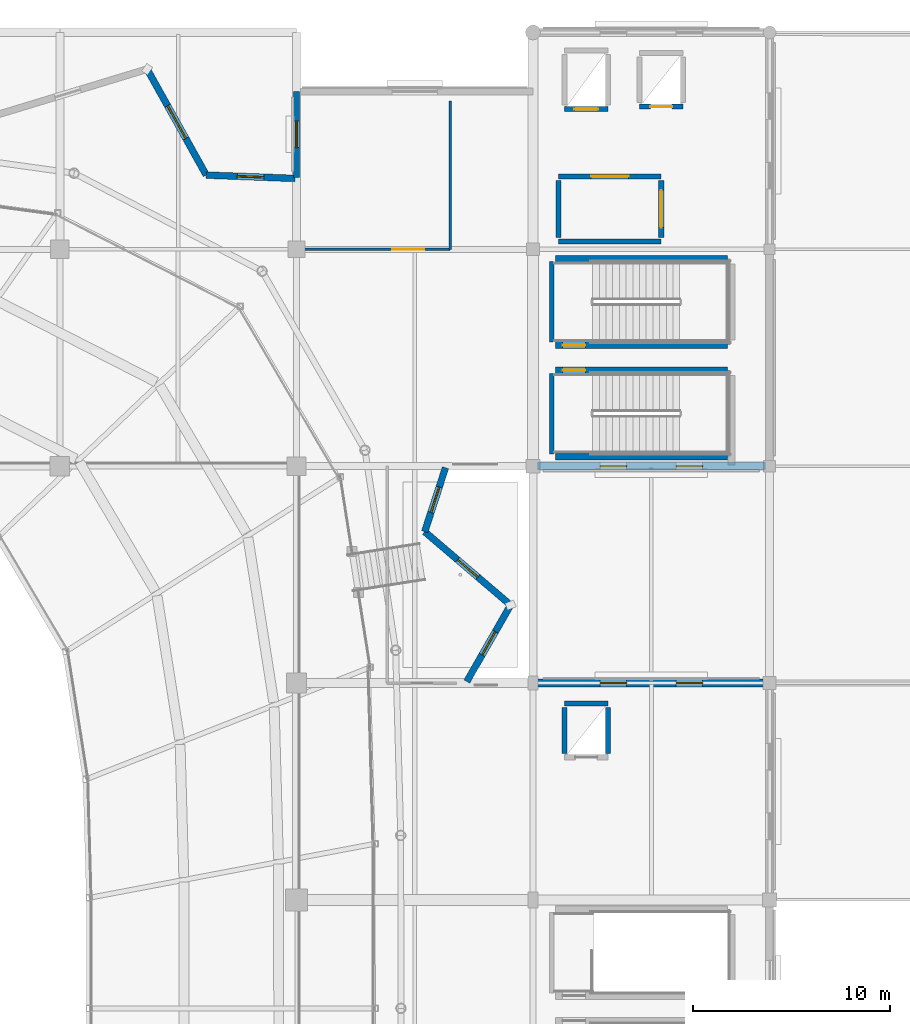
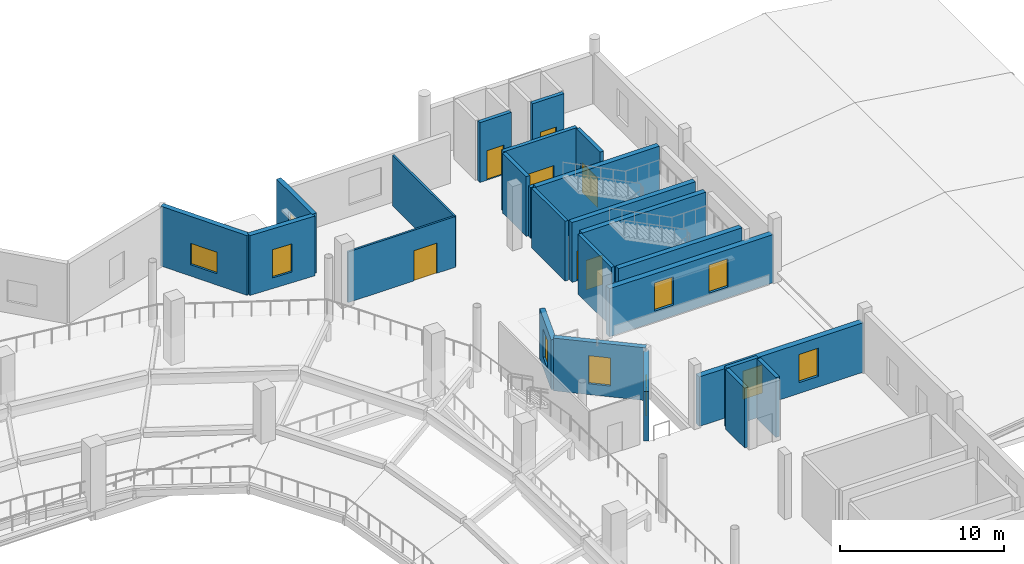
# One storey, part 58 of 77: 25 walls, 10 windows, 7 doors, 17 openings.
"""IFC4 building model written with IfcOpenShell, lengths in metres."""

import ifcopenshell
import ifcopenshell.guid

model = None  # the IFC model being written
_history = None  # IfcOwnerHistory: only IFC2X3 demands one
_inside = {}  # id of a spatial element -> (the spatial element, [elements in it])
_under = {}  # id of a project, library or spatial element -> (it, [spatial elements below it])
_declared = {}  # id of a project -> (the project, [libraries it declares])
_typed = {}  # id of a type object -> (the type object, [elements of that type])
_made_of = {}  # id of a material, layer set ... -> (it, [elements and type objects made of it])


def new_model(schema):
    """Start an empty IFC model of exactly this schema.

    Asked for "IFC4X3", IfcOpenShell would pick the latest addendum, in which some entities
    have other attributes; the version numbers below select the first issue.
    IFC2X3 requires an IfcOwnerHistory on every rooted entity: one is made here for all.
    """
    global model, _history
    if schema == "IFC4X3":
        model = ifcopenshell.file(schema_version=(4, 3, 0, 0))
    else:
        model = ifcopenshell.file(schema=schema)
    _inside.clear()
    _under.clear()
    _declared.clear()
    _typed.clear()
    _made_of.clear()
    _history = None
    if model.schema == "IFC2X3":
        org = make("IfcOrganization", Name="unknown")
        user = make(
            "IfcPersonAndOrganization",
            ThePerson=make("IfcPerson", FamilyName="unknown"),
            TheOrganization=org,
        )
        app = make(
            "IfcApplication",
            ApplicationDeveloper=org,
            Version="unknown",
            ApplicationFullName="unknown",
            ApplicationIdentifier="unknown",
        )
        _history = make(
            "IfcOwnerHistory",
            OwningUser=user,
            OwningApplication=app,
            ChangeAction="ADDED",
            CreationDate=0,
        )
    return model


def make(cls, **values):
    """One entity of the class cls with the attributes given. An attribute that is None is left unset."""
    return model.create_entity(
        cls, **{name: value for name, value in values.items() if value is not None}
    )


def rooted(cls, **values):
    """An entity with a GlobalId (a new one), such as an element, a storey or a relation."""
    return make(cls, GlobalId=ifcopenshell.guid.new(), OwnerHistory=_history, **values)


def si_unit(unit_type, name, prefix=None):
    """IfcSIUnit, for example si_unit("LENGTHUNIT", "METRE", prefix="MILLI")."""
    return make("IfcSIUnit", UnitType=unit_type, Prefix=prefix, Name=name)


def assignment(units):
    """IfcUnitAssignment: the units of a project."""
    return None if units is None else make("IfcUnitAssignment", Units=units)


def point(xyz):
    """IfcCartesianPoint."""
    return None if xyz is None else make("IfcCartesianPoint", Coordinates=xyz)


def direction(xyz):
    """IfcDirection."""
    return None if xyz is None else make("IfcDirection", DirectionRatios=xyz)


def frame(location, z_axis=None, x_axis=None):
    """IfcAxis2Placement3D, a coordinate frame: its origin and axes. An axis left out is left unset."""
    return make(
        "IfcAxis2Placement3D",
        Location=point(location),
        Axis=direction(z_axis),
        RefDirection=direction(x_axis),
    )


def frame_2d(location, x_axis=None):
    """IfcAxis2Placement2D, a coordinate frame in the plane: its origin and x axis."""
    return make(
        "IfcAxis2Placement2D", Location=point(location), RefDirection=direction(x_axis)
    )


def origin():
    """The frame at (0, 0, 0) with its axes left unset."""
    return frame((0.0, 0.0, 0.0))


def place(relative_to, where):
    """IfcLocalPlacement: puts the frame where relative to a parent placement (None: the world)."""
    return make(
        "IfcLocalPlacement", PlacementRelTo=relative_to, RelativePlacement=where
    )


def context(
    kind, dimensions, precision=None, world=None, true_north=None, identifier=None
):
    """IfcGeometricRepresentationContext, for example the 3D "Model" context."""
    return make(
        "IfcGeometricRepresentationContext",
        ContextIdentifier=identifier,
        ContextType=kind,
        CoordinateSpaceDimension=dimensions,
        Precision=precision,
        WorldCoordinateSystem=world,
        TrueNorth=true_north,
    )


def subcontext(parent, identifier, kind, view, scale=None):
    """IfcGeometricRepresentationSubContext, for example "Body" below "Model"."""
    return make(
        "IfcGeometricRepresentationSubContext",
        ContextIdentifier=identifier,
        ContextType=kind,
        ParentContext=parent,
        TargetScale=scale,
        TargetView=view,
    )


def project(units=None, contexts=None):
    """IfcProject with its units and contexts."""
    return rooted(
        "IfcProject",
        Name="project",
        RepresentationContexts=contexts,
        UnitsInContext=assignment(units),
    )


def spatial(cls, under=None, at=None, **own):
    """A site, building, storey or space (cls), placed at a placement, below another one or the project."""
    s = rooted(cls, ObjectPlacement=at, **own)
    if under is not None:
        _under.setdefault(under.id(), (under, []))[1].append(s)
    return s


def profile(cls, at=None, kind="AREA", **sizes):
    """A parametric profile (cls). Its sizes go by their IFC names, for example OverallWidth=200.0."""
    return make(cls, ProfileType=kind, Position=at, **sizes)


def rectangle(**sizes):
    """IfcRectangleProfileDef."""
    return profile("IfcRectangleProfileDef", **sizes)


def extrude(swept, where, along, depth):
    """IfcExtrudedAreaSolid: the profile swept, set in the frame where, extruded along a direction by depth."""
    return make(
        "IfcExtrudedAreaSolid",
        SweptArea=swept,
        Position=where,
        ExtrudedDirection=direction(along),
        Depth=depth,
    )


def shape(context_of_items, identifier, shape_type, items):
    """IfcShapeRepresentation: the items that make up one representation, for example the "Body"."""
    return make(
        "IfcShapeRepresentation",
        ContextOfItems=context_of_items,
        RepresentationIdentifier=identifier,
        RepresentationType=shape_type,
        Items=items,
    )


def material(Name=None, Category=None):
    """IfcMaterial."""
    return make("IfcMaterial", Name=Name, Category=Category)


def layer(
    of_material, thickness, ventilated=None, Name=None, Category=None, Priority=None
):
    """IfcMaterialLayer: one layer of a wall or slab, of a material (None: an air gap)."""
    return make(
        "IfcMaterialLayer",
        Material=of_material,
        LayerThickness=thickness,
        IsVentilated=ventilated,
        Name=Name,
        Category=Category,
        Priority=Priority,
    )


def layer_set(layers, Name=None):
    """IfcMaterialLayerSet."""
    return make("IfcMaterialLayerSet", MaterialLayers=layers, LayerSetName=Name)


def made_of(thing, what):
    """Note that an element or type object is made of a material, layer set ...; save() writes the relation."""
    if what is not None:
        _made_of.setdefault(what.id(), (what, []))[1].append(thing)
    return thing


def type_object(cls, material=None, **own):
    """A type object (cls), such as IfcWallType, which elements share."""
    return made_of(rooted(cls, **own), material)


def element(
    cls,
    number,
    at=None,
    inside=None,
    cuts=None,
    type_object=None,
    material=None,
    context=None,
    identifier="Body",
    shape_type=None,
    held_by="IfcProductDefinitionShape",
    body=None,
    shapes=None,
    **own,
):
    """One element of the class cls, such as IfcWall. Its Tag is "e" and its number.

    at: its placement. inside: the storey or other place that contains it. cuts: it is an
    opening in that element (IfcRelVoidsElement). A single representation is given by context,
    identifier, shape_type and body (its items); several are given by shapes. held_by: the class
    of the entity that holds the representations. save() writes the other relations.
    """
    e = rooted(cls, Tag="e%d" % number, ObjectPlacement=at, **own)
    if body is not None:
        shapes = [shape(context, identifier, shape_type, body)]
    if shapes is not None:
        e.Representation = make(held_by, Representations=shapes)
    if inside is not None:
        _inside.setdefault(inside.id(), (inside, []))[1].append(e)
    if cuts is not None:
        rooted(
            "IfcRelVoidsElement", RelatingBuildingElement=cuts, RelatedOpeningElement=e
        )
    if type_object is not None:
        _typed.setdefault(type_object.id(), (type_object, []))[1].append(e)
    return made_of(e, material)


def fill(opening, filler):
    """IfcRelFillsElement: the door or window that sits in an opening."""
    return rooted(
        "IfcRelFillsElement",
        RelatingOpeningElement=opening,
        RelatedBuildingElement=filler,
    )


def aggregate(whole, parts):
    """IfcRelAggregates: a whole, such as a stair, and the parts it consists of."""
    return rooted("IfcRelAggregates", RelatingObject=whole, RelatedObjects=parts)


def save(model, path):
    """Write the relations noted so far, then the file.

    IfcRelAggregates (storeys below a building ...), IfcRelContainedInSpatialStructure (elements
    in a storey), IfcRelDefinesByType, IfcRelAssociatesMaterial and IfcRelDeclares: one each for
    every whole, place, type object, material and project.
    """
    for whole, parts in _under.values():
        aggregate(whole, parts)
    for where, things in _inside.values():
        rooted(
            "IfcRelContainedInSpatialStructure",
            RelatedElements=things,
            RelatingStructure=where,
        )
    for kind, things in _typed.values():
        rooted("IfcRelDefinesByType", RelatedObjects=things, RelatingType=kind)
    for what, things in _made_of.values():
        rooted("IfcRelAssociatesMaterial", RelatedObjects=things, RelatingMaterial=what)
    for by, libraries in _declared.values():
        rooted("IfcRelDeclares", RelatingContext=by, RelatedDefinitions=libraries)
    model.write(path)


model = new_model("IFC4")

# Units and contexts
model_context = context("Model", 3, precision=1e-05, world=origin(), true_north=direction((0.0, 1.0)))
body_context = subcontext(model_context, "Body", "Model", "MODEL_VIEW")
ifc_project = project(units=[si_unit("LENGTHUNIT", "METRE"), si_unit("AREAUNIT", "SQUARE_METRE"), si_unit("VOLUMEUNIT", "CUBIC_METRE"), si_unit("PLANEANGLEUNIT", "RADIAN"), si_unit("MASSUNIT", "GRAM", prefix="KILO")], contexts=[model_context])

# Site, building, storey
site_placement = place(None, origin())
site = spatial("IfcSite", under=ifc_project, at=site_placement, CompositionType="ELEMENT")
building_placement = place(site_placement, origin())
building = spatial("IfcBuilding", under=site, at=building_placement, Name="Luwafu Chhajja Arena", CompositionType="ELEMENT")
storey_placement = place(building_placement, frame((0.0, 0.0, 14.699951171875)))
storey = spatial("IfcBuildingStorey", under=building, at=storey_placement, Name="L03", CompositionType="ELEMENT", Elevation=14.699951171875)

# Wall, opening, door
ifc_material_1 = material(Name="Lightweight blockwork partition", Category="masonry")
ifc_layer_1 = layer(ifc_material_1, 0.139892578125, Name="Lightweight blockwork partition")
ifc_layer_set_1 = layer_set([ifc_layer_1], Name="Lightweight blockwork partition")
wall_type_1 = type_object("IfcWallType", Name="Concourse Kiosk Partition 140", PredefinedType="PARTITIONING", material=ifc_layer_set_1)
wall_1_placement = place(storey_placement, frame((140.219970703125, 88.0, 0.0), z_axis=(0.0, 0.0, 1.0), x_axis=(1.0, 0.0, 0.0)))
wall_1 = element("IfcWall", 1, at=wall_1_placement, inside=storey, type_object=wall_type_1, Name="L03 Internal Partition 0299", PredefinedType="PARTITIONING", context=body_context, shape_type="SweptSolid", body=[
    extrude(rectangle(XDim=7.580078125, YDim=0.139892578125, at=frame_2d((3.7900390625, 0.0))), origin(), (0.0, 0.0, 1.0), 3.77783203125),
])
opening_1_placement = place(wall_1_placement, frame((4.647705078125, 0.0, 0.0)))
opening_1 = element("IfcOpeningElement", 2, at=opening_1_placement, cuts=wall_1, Name="Opening DR-23", PredefinedType="OPENING", context=body_context, shape_type="SweptSolid", body=[
    extrude(rectangle(XDim=1.6201171875, YDim=2.25, at=frame_2d((0.81005859375, 1.125))), frame((0.0, 0.079833984375, 0.0), z_axis=(0.0, -1.0, 0.0), x_axis=(1.0, 0.0, 0.0)), (0.0, 0.0, 1.0), 0.159912109375),
])
ifc_material_2 = material(Name="Hardwood flush glazed double door", Category="wood")
door_type_1 = type_object("IfcDoorType", Name="DR-23", OperationType="DOUBLE_DOOR_SINGLE_SWING", PredefinedType="DOOR", material=ifc_material_2)
door_1_placement = place(opening_1_placement, origin())
door_1 = element("IfcDoor", 3, at=door_1_placement, inside=storey, type_object=door_type_1, Name="L03 Interior Door L03-D025", OperationType="DOUBLE_DOOR_SINGLE_SWING", OverallHeight=2.25, OverallWidth=1.6201171875, PredefinedType="DOOR", context=body_context, shape_type="SweptSolid", body=[
    extrude(rectangle(XDim=1.6201171875, YDim=2.25, at=frame_2d((0.81005859375, 1.125))), frame((0.0, 0.02490234375, 0.0), z_axis=(0.0, -1.0, 0.0), x_axis=(1.0, 0.0, 0.0)), (0.0, 0.0, 1.0), 0.050048828125),
])
fill(opening_1, door_1)

# Wall
wall_2_placement = place(storey_placement, frame((147.800048828125, 88.0, 0.0), z_axis=(0.0, 0.0, 1.0), x_axis=(0.0, 1.0, 0.0)))
element("IfcWall", 4, at=wall_2_placement, inside=storey, type_object=wall_type_1, Name="L03 Internal Partition 0300", PredefinedType="PARTITIONING", context=body_context, shape_type="SweptSolid", body=[
    extrude(rectangle(XDim=7.52001953125, YDim=0.139892578125, at=frame_2d((3.760009765625, 0.0))), origin(), (0.0, 0.0, 1.0), 3.77783203125),
])

# Wall, opening, door
ifc_material_3 = material(Name="Concrete C40/50", Category="concrete")
ifc_layer_2 = layer(ifc_material_3, 0.260009765625, Name="Concrete C40/50")
ifc_layer_set_2 = layer_set([ifc_layer_2], Name="Concrete C40/50")
wall_type_2 = type_object("IfcWallType", Name="Firefighting Lobby Wall 260", PredefinedType="SOLIDWALL", material=ifc_layer_set_2)
wall_3_placement = place(storey_placement, frame((153.300048828125, 91.699951171875, 0.0), z_axis=(0.0, 0.0, 1.0), x_axis=(1.0, 0.0, 0.0)))
wall_3 = element("IfcWall", 5, at=wall_3_placement, inside=storey, type_object=wall_type_2, Name="L03 Core C4 Firefighting Lobby Wall N", PredefinedType="SOLIDWALL", context=body_context, shape_type="SweptSolid", body=[
    extrude(rectangle(XDim=5.199951171875, YDim=0.260009765625, at=frame_2d((2.60009765625, 0.0))), origin(), (0.0, 0.0, 1.0), 4.4599609375),
])
opening_2_placement = place(wall_3_placement, frame((1.64990234375, 0.0, 0.0)))
opening_2 = element("IfcOpeningElement", 6, at=opening_2_placement, cuts=wall_3, Name="Opening DR-07", PredefinedType="OPENING", context=body_context, shape_type="SweptSolid", body=[
    extrude(rectangle(XDim=1.89990234375, YDim=2.199951171875, at=frame_2d((0.949951171875, 1.10009765625))), frame((0.0, 0.139892578125, 0.0), z_axis=(0.0, -1.0, 0.0), x_axis=(1.0, 0.0, 0.0)), (0.0, 0.0, 1.0), 0.280029296875),
])
ifc_material_4 = material(Name="Fire-rated hardwood and vision panel", Category="wood")
door_type_2 = type_object("IfcDoorType", Name="DR-07", OperationType="DOUBLE_DOOR_SINGLE_SWING", PredefinedType="DOOR", material=ifc_material_4)
door_2_placement = place(opening_2_placement, origin())
door_2 = element("IfcDoor", 7, at=door_2_placement, inside=storey, type_object=door_type_2, Name="L03 Firefighting Lobby C4 Door L03-D015", OperationType="DOUBLE_DOOR_SINGLE_SWING", OverallHeight=2.199951171875, OverallWidth=1.89990234375, PredefinedType="DOOR", context=body_context, shape_type="SweptSolid", body=[
    extrude(rectangle(XDim=1.89990234375, YDim=2.199951171875, at=frame_2d((0.949951171875, 1.10009765625))), frame((0.0, 0.02490234375, 0.0), z_axis=(0.0, -1.0, 0.0), x_axis=(1.0, 0.0, 0.0)), (0.0, 0.0, 1.0), 0.050048828125),
])
fill(opening_2, door_2)

# Walls
wall_4_placement = place(storey_placement, frame((153.300048828125, 88.39990234375, 0.0), z_axis=(0.0, 0.0, 1.0), x_axis=(1.0, 0.0, 0.0)))
element("IfcWall", 8, at=wall_4_placement, inside=storey, type_object=wall_type_2, Name="L03 Core C4 Firefighting Lobby Wall S", PredefinedType="SOLIDWALL", context=body_context, shape_type="SweptSolid", body=[
    extrude(rectangle(XDim=5.199951171875, YDim=0.260009765625, at=frame_2d((2.60009765625, 0.0))), origin(), (0.0, 0.0, 1.0), 3.7900390625),
])
wall_5_placement = place(storey_placement, frame((153.300048828125, 88.60009765625, 0.0), z_axis=(0.0, 0.0, 1.0), x_axis=(0.0, 1.0, 0.0)))
element("IfcWall", 9, at=wall_5_placement, inside=storey, type_object=wall_type_2, Name="L03 Core C4 Firefighting Lobby Wall W", PredefinedType="SOLIDWALL", context=body_context, shape_type="SweptSolid", body=[
    extrude(rectangle(XDim=2.89990234375, YDim=0.260009765625, at=frame_2d((1.449951171875, 0.0))), origin(), (0.0, 0.0, 1.0), 4.4599609375),
])

# Wall, opening, door
wall_6_placement = place(storey_placement, frame((158.5, 88.60009765625, 0.0), z_axis=(0.0, 0.0, 1.0), x_axis=(0.0, 1.0, 0.0)))
wall_6 = element("IfcWall", 10, at=wall_6_placement, inside=storey, type_object=wall_type_2, Name="L03 Core C4 Firefighting Lobby Wall E", PredefinedType="SOLIDWALL", context=body_context, shape_type="SweptSolid", body=[
    extrude(rectangle(XDim=2.89990234375, YDim=0.260009765625, at=frame_2d((1.449951171875, 0.0))), origin(), (0.0, 0.0, 1.0), 4.4599609375),
])
opening_3_placement = place(wall_6_placement, frame((0.5, 0.0, 0.0)))
opening_3 = element("IfcOpeningElement", 11, at=opening_3_placement, cuts=wall_6, Name="Opening DR-07", PredefinedType="OPENING", context=body_context, shape_type="SweptSolid", body=[
    extrude(rectangle(XDim=1.89990234375, YDim=2.199951171875, at=frame_2d((0.949951171875, 1.10009765625))), frame((0.0, 0.139892578125, 0.0), z_axis=(0.0, -1.0, 0.0), x_axis=(1.0, 0.0, 0.0)), (0.0, 0.0, 1.0), 0.280029296875),
])
door_3_placement = place(opening_3_placement, origin())
door_3 = element("IfcDoor", 12, at=door_3_placement, inside=storey, type_object=door_type_2, Name="L03 Firefighting Lobby C4 Door L03-D016", OperationType="DOUBLE_DOOR_SINGLE_SWING", OverallHeight=2.199951171875, OverallWidth=1.89990234375, PredefinedType="DOOR", context=body_context, shape_type="SweptSolid", body=[
    extrude(rectangle(XDim=1.89990234375, YDim=2.199951171875, at=frame_2d((0.949951171875, 1.10009765625))), frame((0.0, 0.02490234375, 0.0), z_axis=(0.0, -1.0, 0.0), x_axis=(1.0, 0.0, 0.0)), (0.0, 0.0, 1.0), 0.050048828125),
])
fill(opening_3, door_3)

ifc_material_5 = material(Name="Concrete C35/45", Category="concrete")
ifc_layer_3 = layer(ifc_material_5, 0.260009765625, Name="Concrete C35/45")
ifc_layer_set_3 = layer_set([ifc_layer_3], Name="Concrete C35/45")
wall_type_3 = type_object("IfcWallType", Name="Lift and Riser Shaft Wall 260", PredefinedType="SOLIDWALL", material=ifc_layer_set_3)
wall_7_placement = place(storey_placement, frame((153.590087890625, 95.114990234375, 0.0), z_axis=(0.0, 0.0, 1.0), x_axis=(1.0, 0.0, 0.0)))
wall_7 = element("IfcWall", 13, at=wall_7_placement, inside=storey, type_object=wall_type_3, Name="L03 Lift LF-04 Shaft Wall S", PredefinedType="SOLIDWALL", context=body_context, shape_type="SweptSolid", body=[
    extrude(rectangle(XDim=2.219970703125, YDim=0.260009765625, at=frame_2d((1.10986328125, 0.0))), origin(), (0.0, 0.0, 1.0), 4.4599609375),
])
opening_4_placement = place(wall_7_placement, frame((0.510009765625, 0.0, 0.0)))
opening_4 = element("IfcOpeningElement", 14, at=opening_4_placement, cuts=wall_7, Name="Opening LD-02", PredefinedType="OPENING", context=body_context, shape_type="SweptSolid", body=[
    extrude(rectangle(XDim=1.199951171875, YDim=2.199951171875, at=frame_2d((0.60009765625, 1.10009765625))), frame((0.0, 0.139892578125, 0.0), z_axis=(0.0, -1.0, 0.0), x_axis=(1.0, 0.0, 0.0)), (0.0, 0.0, 1.0), 0.280029296875),
])
ifc_material_6 = material(Name="Brushed stainless steel sliding leaves", Category="steel")
door_type_3 = type_object("IfcDoorType", Name="LD-02", OperationType="SLIDING_TO_LEFT", PredefinedType="DOOR", material=ifc_material_6)
door_4_placement = place(opening_4_placement, origin())
door_4 = element("IfcDoor", 15, at=door_4_placement, inside=storey, type_object=door_type_3, Name="L03 Lift LF-04 Landing Door L03-LD07", OperationType="SLIDING_TO_LEFT", OverallHeight=2.199951171875, OverallWidth=1.199951171875, PredefinedType="DOOR", context=body_context, shape_type="SweptSolid", body=[
    extrude(rectangle(XDim=1.199951171875, YDim=2.199951171875, at=frame_2d((0.60009765625, 1.10009765625))), frame((0.0, 0.02490234375, 0.0), z_axis=(0.0, -1.0, 0.0), x_axis=(1.0, 0.0, 0.0)), (0.0, 0.0, 1.0), 0.050048828125),
])
fill(opening_4, door_4)

wall_8_placement = place(storey_placement, frame((157.389892578125, 95.239990234375, 0.0), z_axis=(0.0, 0.0, 1.0), x_axis=(1.0, 0.0, 0.0)))
wall_8 = element("IfcWall", 16, at=wall_8_placement, inside=storey, type_object=wall_type_3, Name="L03 Lift LF-08 Shaft Wall S", PredefinedType="SOLIDWALL", context=body_context, shape_type="SweptSolid", body=[
    extrude(rectangle(XDim=2.22021484375, YDim=0.260009765625, at=frame_2d((1.110107421875, 0.0))), origin(), (0.0, 0.0, 1.0), 4.4599609375),
])
opening_5_placement = place(wall_8_placement, frame((0.56005859375, 0.0, 0.0)))
opening_5 = element("IfcOpeningElement", 17, at=opening_5_placement, cuts=wall_8, Name="Opening LD-01", PredefinedType="OPENING", context=body_context, shape_type="SweptSolid", body=[
    extrude(rectangle(XDim=1.10009765625, YDim=2.14990234375, at=frame_2d((0.550048828125, 1.074951171875))), frame((0.0, 0.139892578125, 0.0), z_axis=(0.0, -1.0, 0.0), x_axis=(1.0, 0.0, 0.0)), (0.0, 0.0, 1.0), 0.280029296875),
])
door_type_4 = type_object("IfcDoorType", Name="LD-01", OperationType="SLIDING_TO_LEFT", PredefinedType="DOOR", material=ifc_material_6)
door_5_placement = place(opening_5_placement, origin())
door_5 = element("IfcDoor", 18, at=door_5_placement, inside=storey, type_object=door_type_4, Name="L03 Lift LF-08 Landing Door L03-LD08", OperationType="SLIDING_TO_LEFT", OverallHeight=2.14990234375, OverallWidth=1.10009765625, PredefinedType="DOOR", context=body_context, shape_type="SweptSolid", body=[
    extrude(rectangle(XDim=1.10009765625, YDim=2.14990234375, at=frame_2d((0.550048828125, 1.074951171875))), frame((0.0, 0.02490234375, 0.0), z_axis=(0.0, -1.0, 0.0), x_axis=(1.0, 0.0, 0.0)), (0.0, 0.0, 1.0), 0.050048828125),
])
fill(opening_5, door_5)

# Walls
wall_9_placement = place(storey_placement, frame((153.590087890625, 64.9599609375, 0.0), z_axis=(0.0, 0.0, 1.0), x_axis=(1.0, 0.0, 0.0)))
element("IfcWall", 19, at=wall_9_placement, inside=storey, type_object=wall_type_3, Name="L03 Lift LF-10 Shaft Wall N", PredefinedType="SOLIDWALL", context=body_context, shape_type="SweptSolid", body=[
    extrude(rectangle(XDim=2.219970703125, YDim=0.260009765625, at=frame_2d((1.10986328125, 0.0))), origin(), (0.0, 0.0, 1.0), 4.4599609375),
])
for number, where, z_axis, x_axis, name in (
    (20, (153.590087890625, 62.43994140625, 0.0), (0.0, 0.0, 1.0), (0.0, 1.0, 0.0), "L03 Lift LF-10 Shaft Wall W"),
    (21, (155.81005859375, 62.43994140625, 0.0), (0.0, 0.0, 1.0), (0.0, 1.0, 0.0), "L03 Lift LF-10 Shaft Wall E"),
):
    element("IfcWall", number, at=place(storey_placement, frame(where, z_axis=z_axis, x_axis=x_axis)), inside=storey, type_object=wall_type_3, Name=name, PredefinedType="SOLIDWALL", context=body_context, shape_type="SweptSolid", body=[
        extrude(rectangle(XDim=2.320068359375, YDim=0.260009765625, at=frame_2d((1.16015625, 0.0))), origin(), (0.0, 0.0, 1.0), 4.4599609375),
    ])

# Wall, opening, window
ifc_material_7 = material(Name="Precast concrete C40/50", Category="concrete")
ifc_layer_4 = layer(ifc_material_7, 0.340087890625, Name="Precast concrete C40/50")
ifc_layer_set_4 = layer_set([ifc_layer_4], Name="Precast concrete C40/50")
wall_type_4 = type_object("IfcWallType", Name="Pleated Bowl V-Fold Wall 340", PredefinedType="USERDEFINED", material=ifc_layer_set_4)
wall_10_placement = place(storey_placement, frame((148.64208984375, 66.080078125, 0.0), z_axis=(0.0, 0.0, 1.0), x_axis=(0.497198154983, 0.867637017814, 0.0)))
wall_10 = element("IfcWall", 22, at=wall_10_placement, inside=storey, type_object=wall_type_4, Name="L03 Pleated Bowl V-Fold Wall 04", ObjectType="PLEATED FACADE WALL", PredefinedType="USERDEFINED", context=body_context, shape_type="SweptSolid", body=[
    extrude(rectangle(XDim=4.466552734375, YDim=0.340087890625, at=frame_2d((2.2333984375, 0.0))), origin(), (0.0, 0.0, 1.0), 3.68994140625),
])
opening_6_placement = place(wall_10_placement, frame((1.558349609375, 0.0, 0.800048828125)))
opening_6 = element("IfcOpeningElement", 23, at=opening_6_placement, cuts=wall_10, Name="Opening WN-17", PredefinedType="OPENING", context=body_context, shape_type="SweptSolid", body=[
    extrude(rectangle(XDim=1.35009765625, YDim=2.10009765625, at=frame_2d((0.675048828125, 1.050048828125))), frame((0.0, 0.179931640625, 0.0), z_axis=(0.0, -1.0, 0.0), x_axis=(1.0, 0.0, 0.0)), (0.0, 0.0, 1.0), 0.360107421875),
])
ifc_material_8 = material(Name="Solar-control laminated glass", Category="glass")
window_type_1 = type_object("IfcWindowType", Name="Exhibition Mezzanine Lancet Window 1350x2100", PartitioningType="SINGLE_PANEL", PredefinedType="WINDOW", material=ifc_material_8)
window_1_placement = place(opening_6_placement, origin())
window_1 = element("IfcWindow", 24, at=window_1_placement, inside=storey, type_object=window_type_1, Name="L03 Pleated Bowl Lancet Window 035", OverallHeight=2.10009765625, OverallWidth=1.35009765625, PartitioningType="SINGLE_PANEL", PredefinedType="WINDOW", context=body_context, shape_type="SweptSolid", body=[
    extrude(rectangle(XDim=1.35009765625, YDim=2.10009765625, at=frame_2d((0.675048828125, 1.050048828125))), frame((0.0, 0.030029296875, 0.0), z_axis=(0.0, -1.0, 0.0), x_axis=(1.0, 0.0, 0.0)), (0.0, 0.0, 1.0), 0.06005859375),
])
fill(opening_6, window_1)

wall_11_placement = place(storey_placement, frame((150.86279296875, 69.955322265625, 0.0), z_axis=(0.0, 0.0, 1.0), x_axis=(-0.760445983194, 0.649401190824, 0.0)))
wall_11 = element("IfcWall", 25, at=wall_11_placement, inside=storey, type_object=wall_type_4, Name="L03 Pleated Bowl V-Fold Wall 05", ObjectType="PLEATED FACADE WALL", PredefinedType="USERDEFINED", context=body_context, shape_type="SweptSolid", body=[
    extrude(rectangle(XDim=5.731689453125, YDim=0.340087890625, at=frame_2d((2.86572265625, 0.0))), origin(), (0.0, 0.0, 1.0), 3.929931640625),
])
opening_7_placement = place(wall_11_placement, frame((2.19091796875, 0.0, 0.800048828125)))
opening_7 = element("IfcOpeningElement", 26, at=opening_7_placement, cuts=wall_11, Name="Opening WN-17", PredefinedType="OPENING", context=body_context, shape_type="SweptSolid", body=[
    extrude(rectangle(XDim=1.35009765625, YDim=2.10009765625, at=frame_2d((0.675048828125, 1.050048828125))), frame((0.0, 0.179931640625, 0.0), z_axis=(0.0, -1.0, 0.0), x_axis=(1.0, 0.0, 0.0)), (0.0, 0.0, 1.0), 0.360107421875),
])
window_2_placement = place(opening_7_placement, origin())
window_2 = element("IfcWindow", 27, at=window_2_placement, inside=storey, type_object=window_type_1, Name="L03 Pleated Bowl Lancet Window 036", OverallHeight=2.10009765625, OverallWidth=1.35009765625, PartitioningType="SINGLE_PANEL", PredefinedType="WINDOW", context=body_context, shape_type="SweptSolid", body=[
    extrude(rectangle(XDim=1.35009765625, YDim=2.10009765625, at=frame_2d((0.675048828125, 1.050048828125))), frame((0.0, 0.030029296875, 0.0), z_axis=(0.0, -1.0, 0.0), x_axis=(1.0, 0.0, 0.0)), (0.0, 0.0, 1.0), 0.06005859375),
])
fill(opening_7, window_2)

wall_12_placement = place(storey_placement, frame((146.504150390625, 73.677490234375, 0.0), z_axis=(0.0, 0.0, 1.0), x_axis=(0.310230166493, 0.950661476972, 0.0)))
wall_12 = element("IfcWall", 28, at=wall_12_placement, inside=storey, type_object=wall_type_4, Name="L03 Pleated Bowl V-Fold Wall 06", ObjectType="PLEATED FACADE WALL", PredefinedType="USERDEFINED", context=body_context, shape_type="SweptSolid", body=[
    extrude(rectangle(XDim=3.41064453125, YDim=0.340087890625, at=frame_2d((1.705322265625, 0.0))), origin(), (0.0, 0.0, 1.0), 3.70654296875),
])
opening_8_placement = place(wall_12_placement, frame((1.0302734375, 0.0, 0.800048828125)))
opening_8 = element("IfcOpeningElement", 29, at=opening_8_placement, cuts=wall_12, Name="Opening WN-17", PredefinedType="OPENING", context=body_context, shape_type="SweptSolid", body=[
    extrude(rectangle(XDim=1.35009765625, YDim=2.10009765625, at=frame_2d((0.675048828125, 1.050048828125))), frame((0.0, 0.179931640625, 0.0), z_axis=(0.0, -1.0, 0.0), x_axis=(1.0, 0.0, 0.0)), (0.0, 0.0, 1.0), 0.360107421875),
])
window_3_placement = place(opening_8_placement, origin())
window_3 = element("IfcWindow", 30, at=window_3_placement, inside=storey, type_object=window_type_1, Name="L03 Pleated Bowl Lancet Window 037", OverallHeight=2.10009765625, OverallWidth=1.35009765625, PartitioningType="SINGLE_PANEL", PredefinedType="WINDOW", context=body_context, shape_type="SweptSolid", body=[
    extrude(rectangle(XDim=1.35009765625, YDim=2.10009765625, at=frame_2d((0.675048828125, 1.050048828125))), frame((0.0, 0.030029296875, 0.0), z_axis=(0.0, -1.0, 0.0), x_axis=(1.0, 0.0, 0.0)), (0.0, 0.0, 1.0), 0.06005859375),
])
fill(opening_8, window_3)

wall_13_placement = place(storey_placement, frame((139.919921875, 91.594482421875, 0.0), z_axis=(0.0, 0.0, 1.0), x_axis=(-0.999296191983, 0.037511607381, 0.0)))
wall_13 = element("IfcWall", 31, at=wall_13_placement, inside=storey, type_object=wall_type_4, Name="L03 Pleated Bowl V-Fold Wall 09", ObjectType="PLEATED FACADE WALL", PredefinedType="USERDEFINED", context=body_context, shape_type="SweptSolid", body=[
    extrude(rectangle(XDim=4.497314453125, YDim=0.340087890625, at=frame_2d((2.24853515625, 0.0))), origin(), (0.0, 0.0, 1.0), 4.455078125),
])
opening_9_placement = place(wall_13_placement, frame((1.573486328125, 0.0, 0.800048828125)))
opening_9 = element("IfcOpeningElement", 32, at=opening_9_placement, cuts=wall_13, Name="Opening WN-17", PredefinedType="OPENING", context=body_context, shape_type="SweptSolid", body=[
    extrude(rectangle(XDim=1.35009765625, YDim=2.10009765625, at=frame_2d((0.675048828125, 1.050048828125))), frame((0.0, 0.179931640625, 0.0), z_axis=(0.0, -1.0, 0.0), x_axis=(1.0, 0.0, 0.0)), (0.0, 0.0, 1.0), 0.360107421875),
])
window_4_placement = place(opening_9_placement, origin())
window_4 = element("IfcWindow", 33, at=window_4_placement, inside=storey, type_object=window_type_1, Name="L03 Pleated Bowl Lancet Window 038", OverallHeight=2.10009765625, OverallWidth=1.35009765625, PartitioningType="SINGLE_PANEL", PredefinedType="WINDOW", context=body_context, shape_type="SweptSolid", body=[
    extrude(rectangle(XDim=1.35009765625, YDim=2.10009765625, at=frame_2d((0.675048828125, 1.050048828125))), frame((0.0, 0.030029296875, 0.0), z_axis=(0.0, -1.0, 0.0), x_axis=(1.0, 0.0, 0.0)), (0.0, 0.0, 1.0), 0.06005859375),
])
fill(opening_9, window_4)

wall_14_placement = place(storey_placement, frame((135.42578125, 91.76318359375, 0.0), z_axis=(0.0, 0.0, 1.0), x_axis=(-0.487306352228, 0.87323108, 0.0)))
wall_14 = element("IfcWall", 34, at=wall_14_placement, inside=storey, type_object=wall_type_4, Name="L03 Pleated Bowl V-Fold Wall 10", ObjectType="PLEATED FACADE WALL", PredefinedType="USERDEFINED", context=body_context, shape_type="SweptSolid", body=[
    extrude(rectangle(XDim=6.15283203125, YDim=0.340087890625, at=frame_2d((3.076416015625, 0.0))), origin(), (0.0, 0.0, 1.0), 4.455078125),
])
opening_10_placement = place(wall_14_placement, frame((2.12646484375, 0.0, 0.85009765625)))
opening_10 = element("IfcOpeningElement", 35, at=opening_10_placement, cuts=wall_14, Name="Opening WN-15", PredefinedType="OPENING", context=body_context, shape_type="SweptSolid", body=[
    extrude(rectangle(XDim=1.89990234375, YDim=1.60009765625, at=frame_2d((0.949951171875, 0.800048828125))), frame((0.0, 0.179931640625, 0.0), z_axis=(0.0, -1.0, 0.0), x_axis=(1.0, 0.0, 0.0)), (0.0, 0.0, 1.0), 0.360107421875),
])
window_type_2 = type_object("IfcWindowType", Name="Pleated Drum Inward-Fold Clerestory 1900x1600", PartitioningType="SINGLE_PANEL", PredefinedType="WINDOW", material=ifc_material_8)
window_5_placement = place(opening_10_placement, origin())
window_5 = element("IfcWindow", 36, at=window_5_placement, inside=storey, type_object=window_type_2, Name="L03 Pleated Bowl Lancet Window 039", OverallHeight=1.60009765625, OverallWidth=1.89990234375, PartitioningType="SINGLE_PANEL", PredefinedType="WINDOW", context=body_context, shape_type="SweptSolid", body=[
    extrude(rectangle(XDim=1.89990234375, YDim=1.60009765625, at=frame_2d((0.949951171875, 0.800048828125))), frame((0.0, 0.030029296875, 0.0), z_axis=(0.0, -1.0, 0.0), x_axis=(1.0, 0.0, 0.0)), (0.0, 0.0, 1.0), 0.06005859375),
])
fill(opening_10, window_5)

# Wall
ifc_layer_5 = layer(ifc_material_3, 0.35009765625, Name="Concrete C40/50")
ifc_layer_set_5 = layer_set([ifc_layer_5], Name="Concrete C40/50")
wall_type_5 = type_object("IfcWallType", Name="RC Core Shear Wall 350", PredefinedType="SOLIDWALL", material=ifc_layer_set_5)
wall_15_placement = place(storey_placement, frame((153.14990234375, 77.47802734375, 0.0), z_axis=(0.0, 0.0, 1.0), x_axis=(1.0, 0.0, 0.0)))
element("IfcWall", 37, at=wall_15_placement, inside=storey, type_object=wall_type_5, Name="L03 Stair ST-07 Core Shear Wall S", PredefinedType="SOLIDWALL", context=body_context, shape_type="SweptSolid", body=[
    extrude(rectangle(XDim=8.7001953125, YDim=0.35009765625, at=frame_2d((4.35009765625, 0.0))), origin(), (0.0, 0.0, 1.0), 4.4599609375),
])

# Wall, opening, door
wall_16_placement = place(storey_placement, frame((153.14990234375, 81.862060546875, 0.0), z_axis=(0.0, 0.0, 1.0), x_axis=(1.0, 0.0, 0.0)))
wall_16 = element("IfcWall", 38, at=wall_16_placement, inside=storey, type_object=wall_type_5, Name="L03 Stair ST-07 Core Shear Wall N", PredefinedType="SOLIDWALL", context=body_context, shape_type="SweptSolid", body=[
    extrude(rectangle(XDim=8.7001953125, YDim=0.35009765625, at=frame_2d((4.35009765625, 0.0))), origin(), (0.0, 0.0, 1.0), 4.4599609375),
])
opening_11_placement = place(wall_16_placement, frame((0.35009765625, 0.0, 0.0)))
opening_11 = element("IfcOpeningElement", 39, at=opening_11_placement, cuts=wall_16, Name="Opening DR-06", PredefinedType="OPENING", context=body_context, shape_type="SweptSolid", body=[
    extrude(rectangle(XDim=1.14990234375, YDim=2.199951171875, at=frame_2d((0.574951171875, 1.10009765625))), frame((0.0, 0.18505859375, 0.0), z_axis=(0.0, -1.0, 0.0), x_axis=(1.0, 0.0, 0.0)), (0.0, 0.0, 1.0), 0.3701171875),
])
ifc_material_9 = material(Name="Fire-rated hardwood and steel core", Category="steel")
door_type_5 = type_object("IfcDoorType", Name="DR-06", OperationType="NOTDEFINED", PredefinedType="DOOR", material=ifc_material_9)
door_6_placement = place(opening_11_placement, origin())
door_6 = element("IfcDoor", 40, at=door_6_placement, inside=storey, type_object=door_type_5, Name="L03 Escape Stair ST-07 Fire Door L03-D013", OperationType="SINGLE_SWING_RIGHT", OverallHeight=2.199951171875, OverallWidth=1.14990234375, PredefinedType="DOOR", context=body_context, shape_type="SweptSolid", body=[
    extrude(rectangle(XDim=1.14990234375, YDim=2.199951171875, at=frame_2d((0.574951171875, 1.10009765625))), frame((0.0, 0.02490234375, 0.0), z_axis=(0.0, -1.0, 0.0), x_axis=(1.0, 0.0, 0.0)), (0.0, 0.0, 1.0), 0.050048828125),
])
fill(opening_11, door_6)

wall_17_placement = place(storey_placement, frame((153.14990234375, 83.137939453125, 0.0), z_axis=(0.0, 0.0, 1.0), x_axis=(1.0, 0.0, 0.0)))
wall_17 = element("IfcWall", 41, at=wall_17_placement, inside=storey, type_object=wall_type_5, Name="L03 Stair ST-08 Core Shear Wall S", PredefinedType="SOLIDWALL", context=body_context, shape_type="SweptSolid", body=[
    extrude(rectangle(XDim=8.7001953125, YDim=0.35009765625, at=frame_2d((4.35009765625, 0.0))), origin(), (0.0, 0.0, 1.0), 4.4599609375),
])
opening_12_placement = place(wall_17_placement, frame((0.35009765625, 0.0, 0.0)))
opening_12 = element("IfcOpeningElement", 42, at=opening_12_placement, cuts=wall_17, Name="Opening DR-06", PredefinedType="OPENING", context=body_context, shape_type="SweptSolid", body=[
    extrude(rectangle(XDim=1.14990234375, YDim=2.199951171875, at=frame_2d((0.574951171875, 1.10009765625))), frame((0.0, 0.18505859375, 0.0), z_axis=(0.0, -1.0, 0.0), x_axis=(1.0, 0.0, 0.0)), (0.0, 0.0, 1.0), 0.3701171875),
])
door_7_placement = place(opening_12_placement, origin())
door_7 = element("IfcDoor", 43, at=door_7_placement, inside=storey, type_object=door_type_5, Name="L03 Escape Stair ST-08 Fire Door L03-D014", OperationType="SINGLE_SWING_LEFT", OverallHeight=2.199951171875, OverallWidth=1.14990234375, PredefinedType="DOOR", context=body_context, shape_type="SweptSolid", body=[
    extrude(rectangle(XDim=1.14990234375, YDim=2.199951171875, at=frame_2d((0.574951171875, 1.10009765625))), frame((0.0, 0.02490234375, 0.0), z_axis=(0.0, -1.0, 0.0), x_axis=(1.0, 0.0, 0.0)), (0.0, 0.0, 1.0), 0.050048828125),
])
fill(opening_12, door_7)

# Wall
wall_18_placement = place(storey_placement, frame((153.14990234375, 87.52197265625, 0.0), z_axis=(0.0, 0.0, 1.0), x_axis=(1.0, 0.0, 0.0)))
element("IfcWall", 44, at=wall_18_placement, inside=storey, type_object=wall_type_5, Name="L03 Stair ST-08 Core Shear Wall N", PredefinedType="SOLIDWALL", context=body_context, shape_type="SweptSolid", body=[
    extrude(rectangle(XDim=8.7001953125, YDim=0.35009765625, at=frame_2d((4.35009765625, 0.0))), origin(), (0.0, 0.0, 1.0), 4.4599609375),
])

# Wall, openings, windows
ifc_layer_6 = layer(ifc_material_3, 0.39990234375, Name="Concrete C40/50")
ifc_layer_set_6 = layer_set([ifc_layer_6], Name="Concrete C40/50")
wall_type_6 = type_object("IfcWallType", Name="RC Core Shear Wall 400", PredefinedType="SOLIDWALL", material=ifc_layer_set_6)
wall_19_placement = place(storey_placement, frame((152.219970703125, 66.0, 0.0), z_axis=(0.0, 0.0, 1.0), x_axis=(1.0, 0.0, 0.0)))
wall_19 = element("IfcWall", 45, at=wall_19_placement, inside=storey, type_object=wall_type_6, Name="L03 Exterior Wall WEX-L03-204", PredefinedType="SOLIDWALL", context=body_context, shape_type="SweptSolid", body=[
    extrude(rectangle(XDim=11.56005859375, YDim=0.39990234375, at=frame_2d((5.780029296875, 0.0))), origin(), (0.0, 0.0, 1.0), 3.68994140625),
])
opening_13_placement = place(wall_19_placement, frame((3.17822265625, 0.0, 0.800048828125)))
opening_13 = element("IfcOpeningElement", 46, at=opening_13_placement, cuts=wall_19, Name="Opening WN-17", PredefinedType="OPENING", context=body_context, shape_type="SweptSolid", body=[
    extrude(rectangle(XDim=1.35009765625, YDim=2.10009765625, at=frame_2d((0.675048828125, 1.050048828125))), frame((0.0, 0.2099609375, 0.0), z_axis=(0.0, -1.0, 0.0), x_axis=(1.0, 0.0, 0.0)), (0.0, 0.0, 1.0), 0.419921875),
])
opening_14_placement = place(wall_19_placement, frame((7.03173828125, 0.0, 0.800048828125)))
opening_14 = element("IfcOpeningElement", 47, at=opening_14_placement, cuts=wall_19, Name="Opening WN-17", PredefinedType="OPENING", context=body_context, shape_type="SweptSolid", body=[
    extrude(rectangle(XDim=1.35009765625, YDim=2.10009765625, at=frame_2d((0.675048828125, 1.050048828125))), frame((0.0, 0.2099609375, 0.0), z_axis=(0.0, -1.0, 0.0), x_axis=(1.0, 0.0, 0.0)), (0.0, 0.0, 1.0), 0.419921875),
])
window_6_placement = place(opening_13_placement, origin())
window_6 = element("IfcWindow", 48, at=window_6_placement, inside=storey, type_object=window_type_1, Name="L03 Facade Window 156", OverallHeight=2.10009765625, OverallWidth=1.35009765625, PartitioningType="SINGLE_PANEL", PredefinedType="WINDOW", context=body_context, shape_type="SweptSolid", body=[
    extrude(rectangle(XDim=1.35009765625, YDim=2.10009765625, at=frame_2d((0.675048828125, 1.050048828125))), frame((0.0, 0.030029296875, 0.0), z_axis=(0.0, -1.0, 0.0), x_axis=(1.0, 0.0, 0.0)), (0.0, 0.0, 1.0), 0.06005859375),
])
fill(opening_13, window_6)
window_7_placement = place(opening_14_placement, origin())
window_7 = element("IfcWindow", 49, at=window_7_placement, inside=storey, type_object=window_type_1, Name="L03 Facade Window 157", OverallHeight=2.10009765625, OverallWidth=1.35009765625, PartitioningType="SINGLE_PANEL", PredefinedType="WINDOW", context=body_context, shape_type="SweptSolid", body=[
    extrude(rectangle(XDim=1.35009765625, YDim=2.10009765625, at=frame_2d((0.675048828125, 1.050048828125))), frame((0.0, 0.030029296875, 0.0), z_axis=(0.0, -1.0, 0.0), x_axis=(1.0, 0.0, 0.0)), (0.0, 0.0, 1.0), 0.06005859375),
])
fill(opening_14, window_7)

wall_20_placement = place(storey_placement, frame((152.219970703125, 77.0, 0.0), z_axis=(0.0, 0.0, 1.0), x_axis=(1.0, 0.0, 0.0)))
wall_20 = element("IfcWall", 50, at=wall_20_placement, inside=storey, type_object=wall_type_6, Name="L03 Exterior Wall WEX-L03-206", PredefinedType="SOLIDWALL", context=body_context, shape_type="SweptSolid", body=[
    extrude(rectangle(XDim=11.56005859375, YDim=0.39990234375, at=frame_2d((5.780029296875, 0.0))), origin(), (0.0, 0.0, 1.0), 3.590087890625),
])
opening_15_placement = place(wall_20_placement, frame((3.17822265625, 0.0, 0.800048828125)))
opening_15 = element("IfcOpeningElement", 51, at=opening_15_placement, cuts=wall_20, Name="Opening WN-17", PredefinedType="OPENING", context=body_context, shape_type="SweptSolid", body=[
    extrude(rectangle(XDim=1.35009765625, YDim=2.10009765625, at=frame_2d((0.675048828125, 1.050048828125))), frame((0.0, 0.2099609375, 0.0), z_axis=(0.0, -1.0, 0.0), x_axis=(1.0, 0.0, 0.0)), (0.0, 0.0, 1.0), 0.419921875),
])
opening_16_placement = place(wall_20_placement, frame((7.03173828125, 0.0, 0.800048828125)))
opening_16 = element("IfcOpeningElement", 52, at=opening_16_placement, cuts=wall_20, Name="Opening WN-17", PredefinedType="OPENING", context=body_context, shape_type="SweptSolid", body=[
    extrude(rectangle(XDim=1.35009765625, YDim=2.10009765625, at=frame_2d((0.675048828125, 1.050048828125))), frame((0.0, 0.2099609375, 0.0), z_axis=(0.0, -1.0, 0.0), x_axis=(1.0, 0.0, 0.0)), (0.0, 0.0, 1.0), 0.419921875),
])
window_8_placement = place(opening_15_placement, origin())
window_8 = element("IfcWindow", 53, at=window_8_placement, inside=storey, type_object=window_type_1, Name="L03 Facade Window 160", OverallHeight=2.10009765625, OverallWidth=1.35009765625, PartitioningType="SINGLE_PANEL", PredefinedType="WINDOW", context=body_context, shape_type="SweptSolid", body=[
    extrude(rectangle(XDim=1.35009765625, YDim=2.10009765625, at=frame_2d((0.675048828125, 1.050048828125))), frame((0.0, 0.030029296875, 0.0), z_axis=(0.0, -1.0, 0.0), x_axis=(1.0, 0.0, 0.0)), (0.0, 0.0, 1.0), 0.06005859375),
])
fill(opening_15, window_8)
window_9_placement = place(opening_16_placement, origin())
window_9 = element("IfcWindow", 54, at=window_9_placement, inside=storey, type_object=window_type_1, Name="L03 Facade Window 161", OverallHeight=2.10009765625, OverallWidth=1.35009765625, PartitioningType="SINGLE_PANEL", PredefinedType="WINDOW", context=body_context, shape_type="SweptSolid", body=[
    extrude(rectangle(XDim=1.35009765625, YDim=2.10009765625, at=frame_2d((0.675048828125, 1.050048828125))), frame((0.0, 0.030029296875, 0.0), z_axis=(0.0, -1.0, 0.0), x_axis=(1.0, 0.0, 0.0)), (0.0, 0.0, 1.0), 0.06005859375),
])
fill(opening_16, window_9)

# Wall, opening, window
ifc_layer_7 = layer(ifc_material_5, 0.320068359375, Name="Concrete C35/45")
ifc_layer_set_7 = layer_set([ifc_layer_7], Name="Concrete C35/45")
wall_type_7 = type_object("IfcWallType", Name="Sandstone Backed Exterior Wall 320", PredefinedType="SOLIDWALL", material=ifc_layer_set_7)
wall_21_placement = place(storey_placement, frame((140.0, 91.651611328125, 0.0), z_axis=(0.0, 0.0, 1.0), x_axis=(0.0, 1.0, 0.0)))
wall_21 = element("IfcWall", 55, at=wall_21_placement, inside=storey, type_object=wall_type_7, Name="L03 Exterior Wall WEX-L03-197", PredefinedType="SOLIDWALL", context=body_context, shape_type="SweptSolid", body=[
    extrude(rectangle(XDim=4.348388671875, YDim=0.320068359375, at=frame_2d((2.17431640625, 0.0))), origin(), (0.0, 0.0, 1.0), 4.465087890625),
])
opening_17_placement = place(wall_21_placement, frame((1.4990234375, 0.0, 0.800048828125)))
opening_17 = element("IfcOpeningElement", 56, at=opening_17_placement, cuts=wall_21, Name="Opening WN-17", PredefinedType="OPENING", context=body_context, shape_type="SweptSolid", body=[
    extrude(rectangle(XDim=1.35009765625, YDim=2.10009765625, at=frame_2d((0.675048828125, 1.050048828125))), frame((0.0, 0.169921875, 0.0), z_axis=(0.0, -1.0, 0.0), x_axis=(1.0, 0.0, 0.0)), (0.0, 0.0, 1.0), 0.340087890625),
])
window_10_placement = place(opening_17_placement, origin())
window_10 = element("IfcWindow", 57, at=window_10_placement, inside=storey, type_object=window_type_1, Name="L03 Facade Window 145", OverallHeight=2.10009765625, OverallWidth=1.35009765625, PartitioningType="SINGLE_PANEL", PredefinedType="WINDOW", context=body_context, shape_type="SweptSolid", body=[
    extrude(rectangle(XDim=1.35009765625, YDim=2.10009765625, at=frame_2d((0.675048828125, 1.050048828125))), frame((0.0, 0.030029296875, 0.0), z_axis=(0.0, -1.0, 0.0), x_axis=(1.0, 0.0, 0.0)), (0.0, 0.0, 1.0), 0.06005859375),
])
fill(opening_17, window_10)

# Walls
ifc_layer_8 = layer(ifc_material_5, 0.22998046875, Name="Concrete C35/45")
ifc_layer_set_8 = layer_set([ifc_layer_8], Name="Concrete C35/45")
wall_type_8 = type_object("IfcWallType", Name="Stair Enclosure Wall 230", PredefinedType="SOLIDWALL", material=ifc_layer_set_8)
for number, where, z_axis, x_axis, name in (
    (58, (152.9599609375, 77.6298828125, 0.0), (0.0, 0.0, 1.0), (0.0, 1.0, 0.0), "L03 Stair ST-07 Enclosure Wall W"),
    (59, (152.9599609375, 83.2900390625, 0.0), (0.0, 0.0, 1.0), (0.0, 1.0, 0.0), "L03 Stair ST-08 Enclosure Wall W"),
):
    element("IfcWall", number, at=place(storey_placement, frame(where, z_axis=z_axis, x_axis=x_axis)), inside=storey, type_object=wall_type_8, Name=name, PredefinedType="SOLIDWALL", context=body_context, shape_type="SweptSolid", body=[
        extrude(rectangle(XDim=4.080078125, YDim=0.22998046875, at=frame_2d((2.0400390625, 0.0))), origin(), (0.0, 0.0, 1.0), 4.4599609375),
    ])

save(model, "model.ifc")
